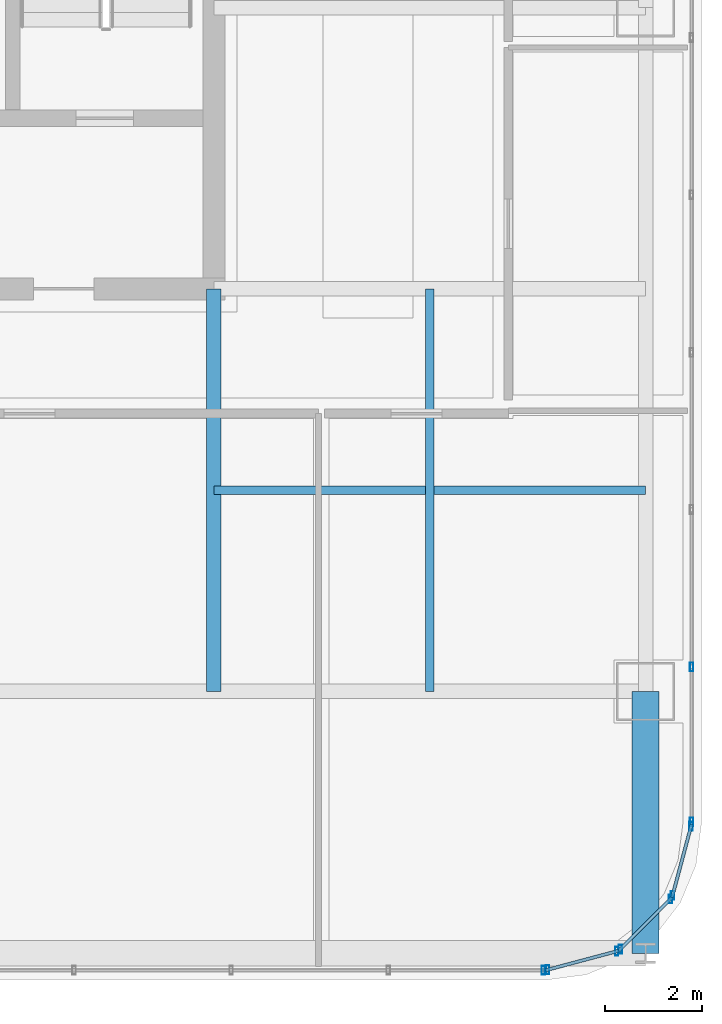
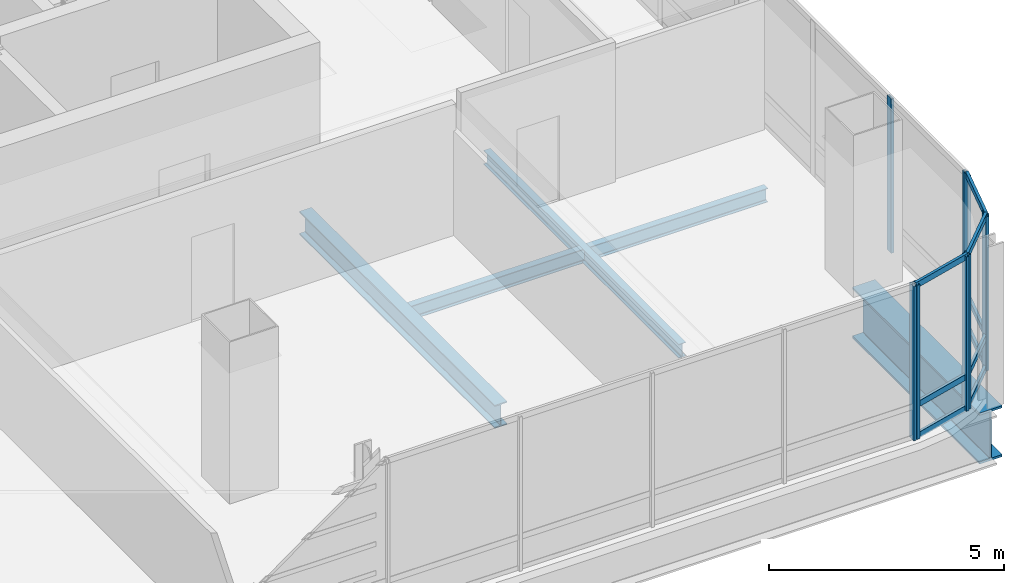
# One storey, part 18 of 43: 18 members, 4 beams, 5 elements without a shape of their own.
"""IFC4 building model written with IfcOpenShell, lengths in metres."""

from ifc_helpers import new_model, si_unit, direction, frame, origin, origin_2d, place, context, subcontext, project, spatial, hollow_rectangle, i_section, extrude, material, material_profile, profile_set, type_object, element, aggregate, save


model = new_model("IFC4")

# Units and contexts
model_context = context("Model", 3, precision=1e-05, world=origin(), true_north=direction((0.0, 1.0)))
body_context = subcontext(model_context, "Body", "Model", "MODEL_VIEW")
ifc_project = project(units=[si_unit("LENGTHUNIT", "METRE"), si_unit("AREAUNIT", "SQUARE_METRE"), si_unit("VOLUMEUNIT", "CUBIC_METRE"), si_unit("PLANEANGLEUNIT", "RADIAN"), si_unit("MASSUNIT", "GRAM", prefix="KILO")], contexts=[model_context])

# Site, building, storey
site_placement = place(None, origin())
site = spatial("IfcSite", under=ifc_project, at=site_placement, CompositionType="ELEMENT")
building_placement = place(site_placement, origin())
building = spatial("IfcBuilding", under=site, at=building_placement, Name="Punatoya Terracotta Tower", CompositionType="ELEMENT")
storey_placement = place(building_placement, frame((0.0, 0.0, 321.60009765625)))
storey = spatial("IfcBuildingStorey", under=building, at=storey_placement, Name="L76", CompositionType="ELEMENT", Elevation=321.60009765625)

# Beams
ifc_material_1 = material(Name="Steel S355", Category="steel")
ifc_material_profile_1 = material_profile(ifc_material_1, i_section(OverallWidth=0.300048828125, OverallDepth=0.60009765625, WebThickness=0.015380859375, FlangeThickness=0.030029296875, FilletRadius=0.01806640625, at=origin_2d()))
ifc_profile_set_1 = profile_set([ifc_material_profile_1], Name="Steel S355")
beam_type_1 = type_object("IfcBeamType", Name="BM-PRI-600", PredefinedType="BEAM", material=ifc_profile_set_1)
beam_1_placement = place(storey_placement, frame((10.199951171875, -17.5, -0.5), z_axis=(0.0, 1.0, 0.0), x_axis=(-1.0, 0.0, 0.0)))
element("IfcBeam", 1, at=beam_1_placement, inside=storey, type_object=beam_type_1, Name="BM-L76-PR-S4", PredefinedType="BEAM", context=body_context, shape_type="SweptSolid", body=[
    extrude(i_section(OverallWidth=0.300048828125, OverallDepth=0.60009765625, WebThickness=0.015380859375, FlangeThickness=0.030029296875, FilletRadius=0.01806640625, at=origin_2d()), origin(), (0.0, 0.0, 1.0), 8.300048828125),
])
ifc_material_profile_2 = material_profile(ifc_material_1, i_section(OverallWidth=0.169921875, OverallDepth=0.360107421875, WebThickness=0.008056640625, FlangeThickness=0.0126953125, FilletRadius=0.01806640625, at=origin_2d()))
ifc_profile_set_2 = profile_set([ifc_material_profile_2], Name="Steel S355")
beam_type_2 = type_object("IfcBeamType", Name="BM-SEC-360", PredefinedType="JOIST", material=ifc_profile_set_2)
beam_2_placement = place(storey_placement, frame((10.199951171875, -13.35009765625, -0.380126953125), z_axis=(1.0, 0.0, 0.0), x_axis=(0.0, 1.0, 0.0)))
element("IfcBeam", 2, at=beam_2_placement, inside=storey, type_object=beam_type_2, Name="BM-L76-SJS-2", PredefinedType="JOIST", context=body_context, shape_type="SweptSolid", body=[
    extrude(i_section(OverallWidth=0.169921875, OverallDepth=0.360107421875, WebThickness=0.008056640625, FlangeThickness=0.0126953125, FilletRadius=0.01806640625, at=origin_2d()), origin(), (0.0, 0.0, 1.0), 8.900146484375),
])
beam_3_placement = place(storey_placement, frame((14.64990234375, -17.5, -0.380126953125), z_axis=(0.0, 1.0, 0.0), x_axis=(-1.0, 0.0, 0.0)))
element("IfcBeam", 3, at=beam_3_placement, inside=storey, type_object=beam_type_2, Name="BM-L76-SJE-1", PredefinedType="JOIST", context=body_context, shape_type="SweptSolid", body=[
    extrude(i_section(OverallWidth=0.169921875, OverallDepth=0.360107421875, WebThickness=0.008056640625, FlangeThickness=0.0126953125, FilletRadius=0.01806640625, at=origin_2d()), origin(), (0.0, 0.0, 1.0), 8.300048828125),
])
ifc_material_2 = material(Name="Steel S460", Category="steel")
ifc_material_profile_3 = material_profile(ifc_material_2, i_section(OverallWidth=0.56005859375, OverallDepth=1.320068359375, WebThickness=0.035888671875, FlangeThickness=0.054931640625, FilletRadius=0.01806640625, at=origin_2d()))
ifc_profile_set_3 = profile_set([ifc_material_profile_3], Name="Steel S460")
beam_type_3 = type_object("IfcBeamType", Name="BM-TG-BLK", PredefinedType="BEAM", material=ifc_profile_set_3)
beam_4_placement = place(storey_placement, frame((19.10009765625, -22.89990234375, -0.860107421875), z_axis=(0.0, 1.0, 0.0), x_axis=(-1.0, 0.0, 0.0)))
element("IfcBeam", 4, at=beam_4_placement, inside=storey, type_object=beam_type_3, Name="BM-L76-CANT-S4", PredefinedType="BEAM", context=body_context, shape_type="SweptSolid", body=[
    extrude(i_section(OverallWidth=0.56005859375, OverallDepth=1.320068359375, WebThickness=0.035888671875, FlangeThickness=0.054931640625, FilletRadius=0.01806640625, at=origin_2d()), origin(), (0.0, 0.0, 1.0), 5.39990234375),
])

# Curtain wall, member
ifc_material_3 = material(Name="Aluminium 6063-T6 + Double Low-E Glass", Category="aluminium")
curtain_wall_type = type_object("IfcCurtainWallType", Name="CW-OBS", PredefinedType="NOTDEFINED", material=ifc_material_3)
curtain_wall_1_placement = place(storey_placement, origin())
curtain_wall_1 = element("IfcCurtainWall", 5, at=curtain_wall_1_placement, inside=storey, type_object=curtain_wall_type, Name="L76 Curtain Wall CW-L76-S01-1", PredefinedType="NOTDEFINED")
ifc_material_4 = material(Name="Aluminium 6063-T6", Category="aluminium")
ifc_material_profile_4 = material_profile(ifc_material_4, hollow_rectangle(XDim=0.070068359375, YDim=0.179931640625, WallThickness=0.00390625, at=origin_2d()))
ifc_profile_set_4 = profile_set([ifc_material_profile_4], Name="Aluminium 6063-T6")
member_type_1 = type_object("IfcMemberType", Name="CW-MUL-M3", PredefinedType="MULLION", material=ifc_profile_set_4)
member_1_placement = place(storey_placement, frame((16.991943359375, -23.25, 0.0), z_axis=(0.0, 0.0, 1.0), x_axis=(1.0, 0.0, 0.0)))
member_1 = element("IfcMember", 6, at=member_1_placement, type_object=member_type_1, Name="CW-L76-S01-1 Mullion 12", PredefinedType="MULLION", context=body_context, shape_type="SweptSolid", body=[
    extrude(hollow_rectangle(XDim=0.070068359375, YDim=0.179931640625, WallThickness=0.00390625, at=origin_2d()), origin(), (0.0, 0.0, 1.0), 4.0),
])
aggregate(curtain_wall_1, [member_1])

# Curtain wall, members
curtain_wall_2_placement = place(storey_placement, origin())
curtain_wall_2 = element("IfcCurtainWall", 7, at=curtain_wall_2_placement, inside=storey, type_object=curtain_wall_type, Name="L76 Curtain Wall CW-L76-CRN02", PredefinedType="NOTDEFINED")
member_2_placement = place(storey_placement, frame((17.080322265625, -23.23828125, 0.0), z_axis=(0.0, 0.0, 1.0), x_axis=(1.0, 0.0, 0.0)))
member_2 = element("IfcMember", 8, at=member_2_placement, type_object=member_type_1, Name="CW-L76-CRN02 Mullion 00", PredefinedType="MULLION", context=body_context, shape_type="SweptSolid", body=[
    extrude(hollow_rectangle(XDim=0.070068359375, YDim=0.179931640625, WallThickness=0.00390625, at=origin_2d()), origin(), (0.0, 0.0, 1.0), 4.0),
])
member_3_placement = place(storey_placement, frame((18.505615234375, -22.858154296875, 0.0), z_axis=(0.0, 0.0, 1.0), x_axis=(1.0, 0.0, 0.0)))
member_3 = element("IfcMember", 9, at=member_3_placement, type_object=member_type_1, Name="CW-L76-CRN02 Mullion 01", PredefinedType="MULLION", context=body_context, shape_type="SweptSolid", body=[
    extrude(hollow_rectangle(XDim=0.070068359375, YDim=0.179931640625, WallThickness=0.00390625, at=origin_2d()), origin(), (0.0, 0.0, 1.0), 4.0),
])

curtain_wall_3_placement = place(storey_placement, origin())
curtain_wall_3 = element("IfcCurtainWall", 10, at=curtain_wall_3_placement, inside=storey, type_object=curtain_wall_type, Name="L76 Curtain Wall CW-L76-CRN03", PredefinedType="NOTDEFINED")
member_4_placement = place(storey_placement, frame((18.580810546875, -22.814697265625, 0.0), z_axis=(0.0, 0.0, 1.0), x_axis=(1.0, 0.0, 0.0)))
member_4 = element("IfcMember", 11, at=member_4_placement, type_object=member_type_1, Name="CW-L76-CRN03 Mullion 00", PredefinedType="MULLION", context=body_context, shape_type="SweptSolid", body=[
    extrude(hollow_rectangle(XDim=0.070068359375, YDim=0.179931640625, WallThickness=0.00390625, at=origin_2d()), origin(), (0.0, 0.0, 1.0), 4.0),
])
member_5_placement = place(storey_placement, frame((19.61474609375, -21.781005859375, 0.0), z_axis=(0.0, 0.0, 1.0), x_axis=(1.0, 0.0, 0.0)))
member_5 = element("IfcMember", 12, at=member_5_placement, type_object=member_type_1, Name="CW-L76-CRN03 Mullion 01", PredefinedType="MULLION", context=body_context, shape_type="SweptSolid", body=[
    extrude(hollow_rectangle(XDim=0.070068359375, YDim=0.179931640625, WallThickness=0.00390625, at=origin_2d()), origin(), (0.0, 0.0, 1.0), 4.0),
])

curtain_wall_4_placement = place(storey_placement, origin())
curtain_wall_4 = element("IfcCurtainWall", 13, at=curtain_wall_4_placement, inside=storey, type_object=curtain_wall_type, Name="L76 Curtain Wall CW-L76-CRN04", PredefinedType="NOTDEFINED")
member_6_placement = place(storey_placement, frame((19.658203125, -21.70556640625, 0.0), z_axis=(0.0, 0.0, 1.0), x_axis=(1.0, 0.0, 0.0)))
member_6 = element("IfcMember", 14, at=member_6_placement, type_object=member_type_1, Name="CW-L76-CRN04 Mullion 00", PredefinedType="MULLION", context=body_context, shape_type="SweptSolid", body=[
    extrude(hollow_rectangle(XDim=0.070068359375, YDim=0.179931640625, WallThickness=0.00390625, at=origin_2d()), origin(), (0.0, 0.0, 1.0), 4.0),
])
member_7_placement = place(storey_placement, frame((20.038330078125, -20.280517578125, 0.0), z_axis=(0.0, 0.0, 1.0), x_axis=(1.0, 0.0, 0.0)))
member_7 = element("IfcMember", 15, at=member_7_placement, type_object=member_type_1, Name="CW-L76-CRN04 Mullion 01", PredefinedType="MULLION", context=body_context, shape_type="SweptSolid", body=[
    extrude(hollow_rectangle(XDim=0.070068359375, YDim=0.179931640625, WallThickness=0.00390625, at=origin_2d()), origin(), (0.0, 0.0, 1.0), 4.0),
])

curtain_wall_5_placement = place(storey_placement, origin())
curtain_wall_5 = element("IfcCurtainWall", 16, at=curtain_wall_5_placement, inside=storey, type_object=curtain_wall_type, Name="L76 Curtain Wall CW-L76-E05-1", PredefinedType="NOTDEFINED")
member_8_placement = place(storey_placement, frame((20.050048828125, -20.19189453125, 0.0), z_axis=(0.0, 0.0, 1.0), x_axis=(1.0, 0.0, 0.0)))
member_8 = element("IfcMember", 17, at=member_8_placement, type_object=member_type_1, Name="CW-L76-E05-1 Mullion 00", PredefinedType="MULLION", context=body_context, shape_type="SweptSolid", body=[
    extrude(hollow_rectangle(XDim=0.070068359375, YDim=0.179931640625, WallThickness=0.00390625, at=origin_2d()), origin(), (0.0, 0.0, 1.0), 4.0),
])
member_9_placement = place(storey_placement, frame((20.050048828125, -16.993896484375, 0.0), z_axis=(0.0, 0.0, 1.0), x_axis=(1.0, 0.0, 0.0)))
member_9 = element("IfcMember", 18, at=member_9_placement, type_object=member_type_1, Name="CW-L76-E05-1 Mullion 01", PredefinedType="MULLION", context=body_context, shape_type="SweptSolid", body=[
    extrude(hollow_rectangle(XDim=0.070068359375, YDim=0.179931640625, WallThickness=0.00390625, at=origin_2d()), origin(), (0.0, 0.0, 1.0), 4.0),
])
aggregate(curtain_wall_5, [member_8, member_9])

# Member
ifc_material_profile_5 = material_profile(ifc_material_4, hollow_rectangle(XDim=0.068115234375, YDim=0.14990234375, WallThickness=0.00390625, at=origin_2d()))
ifc_profile_set_5 = profile_set([ifc_material_profile_5], Name="Aluminium 6063-T6")
member_type_2 = type_object("IfcMemberType", Name="CW-TRN-TYP", PredefinedType="USERDEFINED", material=ifc_profile_set_5)
member_10_placement = place(storey_placement, frame((17.036865234375, -23.25, 0.039794921875), z_axis=(0.966224582397, 0.257701486942, 0.0), x_axis=(-0.257701486942, 0.966224582397, 0.0)))
member_10 = element("IfcMember", 19, at=member_10_placement, type_object=member_type_2, Name="CW-L76-CRN02 Transom 1", ObjectType="TRANSOM", PredefinedType="USERDEFINED", context=body_context, shape_type="SweptSolid", body=[
    extrude(hollow_rectangle(XDim=0.068115234375, YDim=0.14990234375, WallThickness=0.00390625, at=origin_2d()), origin(), (0.0, 0.0, 1.0), 1.565185546875),
])

member_11_placement = place(storey_placement, frame((17.036865234375, -23.25, 0.849853515625), z_axis=(0.966224582397, 0.257701486942, 0.0), x_axis=(-0.257701486942, 0.966224582397, 0.0)))
member_11 = element("IfcMember", 20, at=member_11_placement, type_object=member_type_2, Name="CW-L76-CRN02 Transom 2", ObjectType="TRANSOM", PredefinedType="USERDEFINED", context=body_context, shape_type="SweptSolid", body=[
    extrude(hollow_rectangle(XDim=0.068115234375, YDim=0.14990234375, WallThickness=0.00390625, at=origin_2d()), origin(), (0.0, 0.0, 1.0), 1.565185546875),
])

member_12_placement = place(storey_placement, frame((17.036865234375, -23.25, 3.9599609375), z_axis=(0.966224582397, 0.257701486942, 0.0), x_axis=(-0.257701486942, 0.966224582397, 0.0)))
member_12 = element("IfcMember", 21, at=member_12_placement, type_object=member_type_2, Name="CW-L76-CRN02 Transom 3", ObjectType="TRANSOM", PredefinedType="USERDEFINED", context=body_context, shape_type="SweptSolid", body=[
    extrude(hollow_rectangle(XDim=0.068115234375, YDim=0.14990234375, WallThickness=0.00390625, at=origin_2d()), origin(), (0.0, 0.0, 1.0), 1.565185546875),
])

aggregate(curtain_wall_2, [member_2, member_3, member_10, member_11, member_12])

member_13_placement = place(storey_placement, frame((18.549072265625, -22.8466796875, 0.039794921875), z_axis=(0.707028130747, 0.707185422879, 0.0), x_axis=(-0.707185422879, 0.707028130747, 0.0)))
member_13 = element("IfcMember", 22, at=member_13_placement, type_object=member_type_2, Name="CW-L76-CRN03 Transom 1", ObjectType="TRANSOM", PredefinedType="USERDEFINED", context=body_context, shape_type="SweptSolid", body=[
    extrude(hollow_rectangle(XDim=0.068115234375, YDim=0.14990234375, WallThickness=0.00390625, at=origin_2d()), origin(), (0.0, 0.0, 1.0), 1.55224609375),
])

member_14_placement = place(storey_placement, frame((18.549072265625, -22.8466796875, 0.849853515625), z_axis=(0.707028130747, 0.707185422879, 0.0), x_axis=(-0.707185422879, 0.707028130747, 0.0)))
member_14 = element("IfcMember", 23, at=member_14_placement, type_object=member_type_2, Name="CW-L76-CRN03 Transom 2", ObjectType="TRANSOM", PredefinedType="USERDEFINED", context=body_context, shape_type="SweptSolid", body=[
    extrude(hollow_rectangle(XDim=0.068115234375, YDim=0.14990234375, WallThickness=0.00390625, at=origin_2d()), origin(), (0.0, 0.0, 1.0), 1.55224609375),
])

member_15_placement = place(storey_placement, frame((18.549072265625, -22.8466796875, 3.9599609375), z_axis=(0.707028130747, 0.707185422879, 0.0), x_axis=(-0.707185422879, 0.707028130747, 0.0)))
member_15 = element("IfcMember", 24, at=member_15_placement, type_object=member_type_2, Name="CW-L76-CRN03 Transom 3", ObjectType="TRANSOM", PredefinedType="USERDEFINED", context=body_context, shape_type="SweptSolid", body=[
    extrude(hollow_rectangle(XDim=0.068115234375, YDim=0.14990234375, WallThickness=0.00390625, at=origin_2d()), origin(), (0.0, 0.0, 1.0), 1.55224609375),
])

aggregate(curtain_wall_3, [member_4, member_5, member_13, member_14, member_15])

member_16_placement = place(storey_placement, frame((19.646484375, -21.7490234375, 0.039794921875), z_axis=(0.257847112249, 0.966185730957, 0.0), x_axis=(-0.966185730957, 0.257847112249, 0.0)))
member_16 = element("IfcMember", 25, at=member_16_placement, type_object=member_type_2, Name="CW-L76-CRN04 Transom 1", ObjectType="TRANSOM", PredefinedType="USERDEFINED", context=body_context, shape_type="SweptSolid", body=[
    extrude(hollow_rectangle(XDim=0.068115234375, YDim=0.14990234375, WallThickness=0.00390625, at=origin_2d()), origin(), (0.0, 0.0, 1.0), 1.565185546875),
])

member_17_placement = place(storey_placement, frame((19.646484375, -21.7490234375, 0.849853515625), z_axis=(0.257847112249, 0.966185730957, 0.0), x_axis=(-0.966185730957, 0.257847112249, 0.0)))
member_17 = element("IfcMember", 26, at=member_17_placement, type_object=member_type_2, Name="CW-L76-CRN04 Transom 2", ObjectType="TRANSOM", PredefinedType="USERDEFINED", context=body_context, shape_type="SweptSolid", body=[
    extrude(hollow_rectangle(XDim=0.068115234375, YDim=0.14990234375, WallThickness=0.00390625, at=origin_2d()), origin(), (0.0, 0.0, 1.0), 1.565185546875),
])

member_18_placement = place(storey_placement, frame((19.646484375, -21.7490234375, 3.9599609375), z_axis=(0.257847112249, 0.966185730957, 0.0), x_axis=(-0.966185730957, 0.257847112249, 0.0)))
member_18 = element("IfcMember", 27, at=member_18_placement, type_object=member_type_2, Name="CW-L76-CRN04 Transom 3", ObjectType="TRANSOM", PredefinedType="USERDEFINED", context=body_context, shape_type="SweptSolid", body=[
    extrude(hollow_rectangle(XDim=0.068115234375, YDim=0.14990234375, WallThickness=0.00390625, at=origin_2d()), origin(), (0.0, 0.0, 1.0), 1.565185546875),
])

aggregate(curtain_wall_4, [member_6, member_7, member_16, member_17, member_18])

save(model, "model.ifc")
